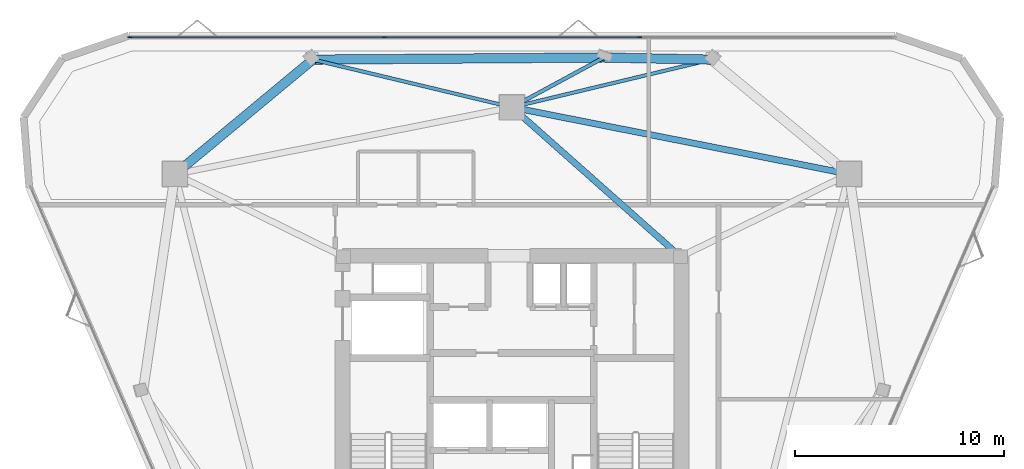
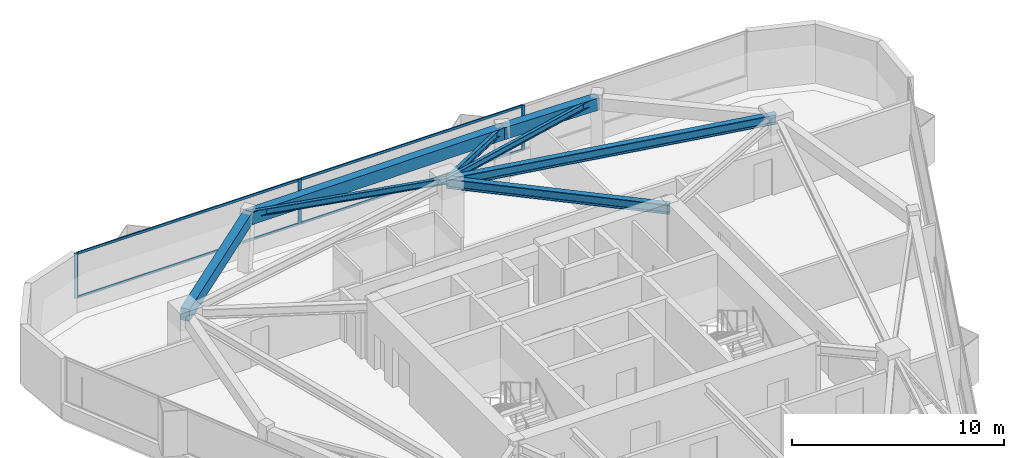
# One storey, part 6 of 12: 8 beams, 7 members, 1 element without a shape of its own.
"""IFC4 building model written with IfcOpenShell, lengths in metres."""

from ifc_helpers import new_model, si_unit, direction, frame, origin, origin_2d, place, context, subcontext, project, spatial, rectangle, i_section, extrude, material, layer, layer_set, material_profile, profile_set, type_object, element, aggregate, save


model = new_model("IFC4")

# Units and contexts
model_context = context("Model", 3, precision=1e-05, world=origin(), true_north=direction((0.0, 1.0)))
body_context = subcontext(model_context, "Body", "Model", "MODEL_VIEW")
ifc_project = project(units=[si_unit("LENGTHUNIT", "METRE"), si_unit("AREAUNIT", "SQUARE_METRE"), si_unit("VOLUMEUNIT", "CUBIC_METRE"), si_unit("PLANEANGLEUNIT", "RADIAN"), si_unit("MASSUNIT", "GRAM", prefix="KILO")], contexts=[model_context])

# Site, building, storey
site_placement = place(None, origin())
site = spatial("IfcSite", under=ifc_project, at=site_placement, CompositionType="ELEMENT")
building_placement = place(site_placement, origin())
building = spatial("IfcBuilding", under=site, at=building_placement, Name="Talyreon Biosciences Tower", CompositionType="ELEMENT")
storey_placement = place(building_placement, frame((0.0, 0.0, 246.199951171875)))
storey = spatial("IfcBuildingStorey", under=building, at=storey_placement, Name="L65", CompositionType="ELEMENT", Elevation=246.199951171875)

# Curtain wall, members
ifc_material_1 = material(Name="Thermally broken aluminium and low-E glazing", Category="aluminium")
ifc_layer = layer(ifc_material_1, 0.175048828125)
ifc_layer_set = layer_set([ifc_layer], Name="Thermally broken aluminium and low-E glazing")
curtain_wall_type = type_object("IfcCurtainWallType", Name="CurtainWall_Zone5CompLab", PredefinedType="NOTDEFINED", material=ifc_layer_set)
curtain_wall_placement = place(storey_placement, origin())
curtain_wall = element("IfcCurtainWall", 1, at=curtain_wall_placement, inside=storey, type_object=curtain_wall_type, Name="L65 Unitised Curtain Wall FCW-L65-04", PredefinedType="NOTDEFINED")
ifc_material_2 = material(Name="Anodised thermally broken aluminium", Category="aluminium")
ifc_material_profile_1 = material_profile(ifc_material_2, rectangle(XDim=0.06494140625, YDim=0.179931640625, at=origin_2d()), Name="ALUM MULLION 65x180")
ifc_profile_set_1 = profile_set([ifc_material_profile_1], Name="Anodised thermally broken aluminium")
member_type_1 = type_object("IfcMemberType", Name="CWMullion_65x180", PredefinedType="MULLION", material=ifc_profile_set_1)
member_1_placement = place(storey_placement, frame((47.728759765625, 85.1376953125, 0.81005859375), z_axis=(0.0, 0.0, 1.0), x_axis=(0.0, 1.0, 0.0)))
member_1 = element("IfcMember", 2, at=member_1_placement, type_object=member_type_1, Name="CW6 mullion 1", PredefinedType="MULLION", context=body_context, shape_type="SweptSolid", body=[
    extrude(rectangle(XDim=0.06494140625, YDim=0.179931640625, at=origin_2d()), origin(), (0.0, 0.0, 1.0), 2.590087890625),
])
member_2_placement = place(storey_placement, frame((59.898681640625, 85.1376953125, 0.81005859375), z_axis=(0.0, 0.0, 1.0), x_axis=(0.0, 1.0, 0.0)))
member_2 = element("IfcMember", 3, at=member_2_placement, type_object=member_type_1, Name="CW6 mullion 2", PredefinedType="MULLION", context=body_context, shape_type="SweptSolid", body=[
    extrude(rectangle(XDim=0.06494140625, YDim=0.179931640625, at=origin_2d()), origin(), (0.0, 0.0, 1.0), 2.590087890625),
])
member_3_placement = place(storey_placement, frame((72.101318359375, 85.1376953125, 0.81005859375), z_axis=(0.0, 0.0, 1.0), x_axis=(0.0, 1.0, 0.0)))
member_3 = element("IfcMember", 4, at=member_3_placement, type_object=member_type_1, Name="CW6 mullion 3", PredefinedType="MULLION", context=body_context, shape_type="SweptSolid", body=[
    extrude(rectangle(XDim=0.06494140625, YDim=0.179931640625, at=origin_2d()), origin(), (0.0, 0.0, 1.0), 2.590087890625),
])
ifc_material_profile_2 = material_profile(ifc_material_2, rectangle(XDim=0.06494140625, YDim=0.139892578125, at=origin_2d()), Name="ALUM TRANSOM 65x140")
ifc_profile_set_2 = profile_set([ifc_material_profile_2], Name="Anodised thermally broken aluminium")
member_type_2 = type_object("IfcMemberType", Name="CWTransom_65x140", PredefinedType="USERDEFINED", material=ifc_profile_set_2)
member_4_placement = place(storey_placement, frame((47.76123046875, 85.1376953125, 0.842529296875), z_axis=(1.0, 0.0, 0.0), x_axis=(0.0, 1.0, 0.0)))
member_4 = element("IfcMember", 5, at=member_4_placement, type_object=member_type_2, Name="CW6 transom 1.1", ObjectType="TRANSOM", PredefinedType="USERDEFINED", context=body_context, shape_type="SweptSolid", body=[
    extrude(rectangle(XDim=0.06494140625, YDim=0.139892578125, at=origin_2d()), origin(), (0.0, 0.0, 1.0), 12.10498046875),
])
member_5_placement = place(storey_placement, frame((47.76123046875, 85.1376953125, 3.367431640625), z_axis=(1.0, 0.0, 0.0), x_axis=(0.0, 1.0, 0.0)))
member_5 = element("IfcMember", 6, at=member_5_placement, type_object=member_type_2, Name="CW6 transom 1.2", ObjectType="TRANSOM", PredefinedType="USERDEFINED", context=body_context, shape_type="SweptSolid", body=[
    extrude(rectangle(XDim=0.06494140625, YDim=0.139892578125, at=origin_2d()), origin(), (0.0, 0.0, 1.0), 12.10498046875),
])
member_6_placement = place(storey_placement, frame((59.93115234375, 85.1376953125, 0.842529296875), z_axis=(1.0, 0.0, 0.0), x_axis=(0.0, 1.0, 0.0)))
member_6 = element("IfcMember", 7, at=member_6_placement, type_object=member_type_2, Name="CW6 transom 2.1", ObjectType="TRANSOM", PredefinedType="USERDEFINED", context=body_context, shape_type="SweptSolid", body=[
    extrude(rectangle(XDim=0.06494140625, YDim=0.139892578125, at=origin_2d()), origin(), (0.0, 0.0, 1.0), 12.1376953125),
])
member_7_placement = place(storey_placement, frame((59.93115234375, 85.1376953125, 3.367431640625), z_axis=(1.0, 0.0, 0.0), x_axis=(0.0, 1.0, 0.0)))
member_7 = element("IfcMember", 8, at=member_7_placement, type_object=member_type_2, Name="CW6 transom 2.2", ObjectType="TRANSOM", PredefinedType="USERDEFINED", context=body_context, shape_type="SweptSolid", body=[
    extrude(rectangle(XDim=0.06494140625, YDim=0.139892578125, at=origin_2d()), origin(), (0.0, 0.0, 1.0), 12.1376953125),
])
aggregate(curtain_wall, [member_1, member_2, member_3, member_4, member_5, member_6, member_7])

# Beams
ifc_material_3 = material(Name="Precast concrete C45/55", Category="concrete")
ifc_material_profile_3 = material_profile(ifc_material_3, rectangle(XDim=0.449951171875, YDim=0.699951171875, at=origin_2d()), Name="RCB 450x700")
ifc_profile_set_3 = profile_set([ifc_material_profile_3], Name="Precast concrete C45/55")
beam_type_1 = type_object("IfcBeamType", Name="ExpressedSpandrel_450x700", PredefinedType="SPANDREL", material=ifc_profile_set_3)
beam_1_placement = place(storey_placement, frame((75.51806640625, 84.06787109375, 3.050048828125), z_axis=(-0.99981026651, 0.019478988187, 0.0), x_axis=(-0.019478988187, -0.99981026651, 0.0)))
element("IfcBeam", 9, at=beam_1_placement, inside=storey, type_object=beam_type_1, Name="L65 Expressed Horizontal Concrete Spandrel 06", PredefinedType="SPANDREL", context=body_context, shape_type="SweptSolid", body=[
    extrude(rectangle(XDim=0.449951171875, YDim=0.699951171875, at=origin_2d()), origin(), (0.0, 0.0, 1.0), 5.126220703125),
])
beam_2_placement = place(storey_placement, frame((70.392822265625, 84.167724609375, 3.050048828125), z_axis=(-0.999974238557, -0.007177898236, 0.0), x_axis=(0.007177898236, -0.999974238557, 0.0)))
element("IfcBeam", 10, at=beam_2_placement, inside=storey, type_object=beam_type_1, Name="L65 Expressed Horizontal Concrete Spandrel 07", PredefinedType="SPANDREL", context=body_context, shape_type="SweptSolid", body=[
    extrude(rectangle(XDim=0.449951171875, YDim=0.699951171875, at=origin_2d()), origin(), (0.0, 0.0, 1.0), 13.9111328125),
])
beam_3_placement = place(storey_placement, frame((56.48193359375, 84.06787109375, 3.050048828125), z_axis=(-0.769232646373, -0.638968806558, 0.0), x_axis=(0.638968806558, -0.769232646373, 0.0)))
element("IfcBeam", 11, at=beam_3_placement, inside=storey, type_object=beam_type_1, Name="L65 Expressed Horizontal Concrete Spandrel 08", PredefinedType="SPANDREL", context=body_context, shape_type="SweptSolid", body=[
    extrude(rectangle(XDim=0.449951171875, YDim=0.699951171875, at=origin_2d()), origin(), (0.0, 0.0, 1.0), 8.5595703125),
])
ifc_material_4 = material(Name="Steel SM355", Category="steel")
ifc_material_profile_4 = material_profile(ifc_material_4, i_section(OverallWidth=0.300048828125, OverallDepth=0.550048828125, WebThickness=0.014892578125, FlangeThickness=0.029052734375, FilletRadius=0.027099609375, at=origin_2d()), Name="HE550B")
ifc_profile_set_4 = profile_set([ifc_material_profile_4], Name="Steel SM355")
beam_type_2 = type_object("IfcBeamType", Name="SteelBeam_HE550B", PredefinedType="BEAM", material=ifc_profile_set_4)
beam_4_placement = place(storey_placement, frame((82.102294921875, 78.5986328125, 3.125), z_axis=(-0.980933730698, 0.194342522311, 0.0), x_axis=(-0.194342522311, -0.980933730698, 0.0)))
element("IfcBeam", 12, at=beam_4_placement, inside=storey, type_object=beam_type_2, Name="L65 Mega-Ring Girder 3", PredefinedType="BEAM", context=body_context, shape_type="SweptSolid", body=[
    extrude(i_section(OverallWidth=0.300048828125, OverallDepth=0.550048828125, WebThickness=0.014892578125, FlangeThickness=0.029052734375, FilletRadius=0.027099609375, at=origin_2d()), origin(), (0.0, 0.0, 1.0), 16.415283203125),
])
beam_5_placement = place(storey_placement, frame((74.050048828125, 74.64990234375, 3.125), z_axis=(-0.748178733955, 0.663497235908, 0.0), x_axis=(-0.663497235908, -0.748178733955, 0.0)))
element("IfcBeam", 13, at=beam_5_placement, inside=storey, type_object=beam_type_2, Name="L65 Radial Primary Girder 4", PredefinedType="BEAM", context=body_context, shape_type="SweptSolid", body=[
    extrude(i_section(OverallWidth=0.300048828125, OverallDepth=0.550048828125, WebThickness=0.014892578125, FlangeThickness=0.029052734375, FilletRadius=0.027099609375, at=origin_2d()), origin(), (0.0, 0.0, 1.0), 10.759521484375),
])
ifc_material_profile_5 = material_profile(ifc_material_4, i_section(OverallWidth=0.169921875, OverallDepth=0.360107421875, WebThickness=0.008056640625, FlangeThickness=0.0126953125, FilletRadius=0.01806640625, at=origin_2d()), Name="IPE360")
ifc_profile_set_5 = profile_set([ifc_material_profile_5], Name="Steel SM355")
beam_type_3 = type_object("IfcBeamType", Name="SteelJoist_IPE360", PredefinedType="JOIST", material=ifc_profile_set_5)
for number, where, z_axis, x_axis, name in (
    (14, (66.0, 81.788818359375, 3.219970703125), (0.972509666954, 0.232862508106, 0.0), (-0.232862508106, 0.972509666954, 0.0), "L65 Radial Composite Floor Joist PC-N1"),
    (15, (66.0, 81.788818359375, 3.219970703125), (-0.972509666954, 0.232862508106, 0.0), (-0.232862508106, -0.972509666954, 0.0), "L65 Radial Composite Floor Joist PC-N2"),
):
    element("IfcBeam", number, at=place(storey_placement, frame(where, z_axis=z_axis, x_axis=x_axis)), inside=storey, type_object=beam_type_3, Name=name, PredefinedType="JOIST", context=body_context, shape_type="SweptSolid", body=[
        extrude(i_section(OverallWidth=0.169921875, OverallDepth=0.360107421875, WebThickness=0.008056640625, FlangeThickness=0.0126953125, FilletRadius=0.01806640625, at=origin_2d()), origin(), (0.0, 0.0, 1.0), 9.787109375),
    ])
ifc_material_profile_6 = material_profile(ifc_material_4, i_section(OverallWidth=0.179931640625, OverallDepth=0.39990234375, WebThickness=0.008544921875, FlangeThickness=0.013427734375, FilletRadius=0.02099609375, at=origin_2d()), Name="IPE400")
ifc_profile_set_6 = profile_set([ifc_material_profile_6], Name="Steel SM355")
beam_type_4 = type_object("IfcBeamType", Name="SteelJoist_IPE400", PredefinedType="JOIST", material=ifc_profile_set_6)
beam_6_placement = place(storey_placement, frame((66.0, 81.788818359375, 3.199951171875), z_axis=(0.879337160117, 0.476199704784, 0.0), x_axis=(-0.476199704784, 0.879337160117, 0.0)))
element("IfcBeam", 16, at=beam_6_placement, inside=storey, type_object=beam_type_4, Name="L65 Radial Composite Floor Joist PL-N", PredefinedType="JOIST", context=body_context, shape_type="SweptSolid", body=[
    extrude(i_section(OverallWidth=0.179931640625, OverallDepth=0.39990234375, WebThickness=0.008544921875, FlangeThickness=0.013427734375, FilletRadius=0.02099609375, at=origin_2d()), origin(), (0.0, 0.0, 1.0), 4.99560546875),
])

save(model, "model.ifc")
